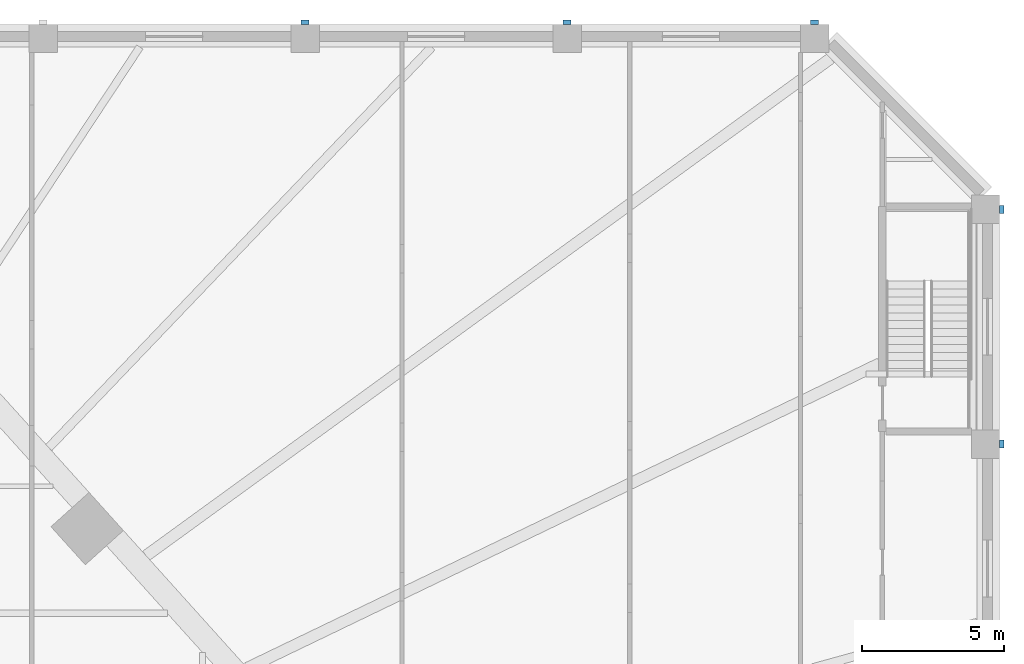
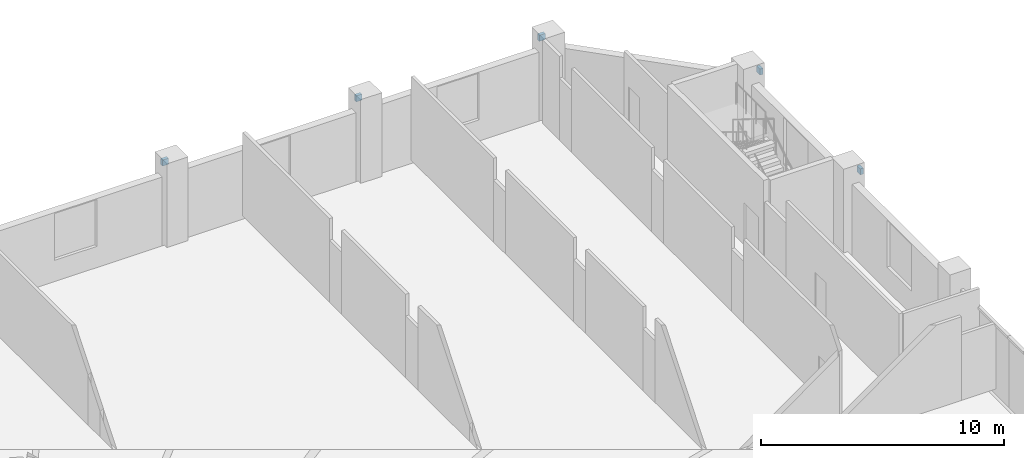
# One storey, part 28 of 33: 5 discrete accessories.
"""IFC4 building model written with IfcOpenShell, lengths in metres."""

from ifc_helpers import new_model, si_unit, direction, frame, origin, origin_2d, place, context, subcontext, project, spatial, rectangle, extrude, material, type_object, element, save


model = new_model("IFC4")

# Units and contexts
model_context = context("Model", 3, precision=1e-05, world=origin(), true_north=direction((0.0, 1.0)))
body_context = subcontext(model_context, "Body", "Model", "MODEL_VIEW")
ifc_project = project(units=[si_unit("LENGTHUNIT", "METRE"), si_unit("AREAUNIT", "SQUARE_METRE"), si_unit("VOLUMEUNIT", "CUBIC_METRE"), si_unit("PLANEANGLEUNIT", "RADIAN"), si_unit("MASSUNIT", "GRAM", prefix="KILO")], contexts=[model_context])

# Site, building, storey
site_placement = place(None, origin())
site = spatial("IfcSite", under=ifc_project, at=site_placement, CompositionType="ELEMENT")
building_placement = place(site_placement, origin())
building = spatial("IfcBuilding", under=site, at=building_placement, Name="Isthmus Gate Tower", CompositionType="ELEMENT")
storey_placement = place(building_placement, frame((0.0, 0.0, 22.5)))
storey = spatial("IfcBuildingStorey", under=building, at=storey_placement, Name="L03", CompositionType="ELEMENT", Elevation=22.5)

# Discrete accessories
ifc_material = material(Name="Structural steel ASTM A572 Gr 50, white paint system", Category="steel")
discrete_accessory_type = type_object("IfcDiscreteAccessoryType", Name="FIN BRACKET 281 X 150 X 300", PredefinedType="BRACKET", material=ifc_material)
for number, where, z_axis, x_axis, name in (
    (1, (52.074951171875, 26.25, 3.35009765625), (0.0, 0.0, 1.0), (1.0, 0.0, 0.0), "FIN BRACKET"),
    (2, (52.074951171875, 34.5, 3.35009765625), (0.0, 0.0, 1.0), (1.0, 0.0, 0.0), "FIN BRACKET"),
    (3, (45.5, 41.074951171875, 3.35009765625), (0.0, 0.0, 1.0), (0.0, 1.0, 0.0), "FIN BRACKET"),
    (4, (36.800048828125, 41.074951171875, 3.35009765625), (0.0, 0.0, 1.0), (0.0, 1.0, 0.0), "FIN BRACKET"),
    (5, (27.60009765625, 41.074951171875, 3.35009765625), (0.0, 0.0, 1.0), (0.0, 1.0, 0.0), "FIN BRACKET"),
):
    element("IfcDiscreteAccessory", number, at=place(storey_placement, frame(where, z_axis=z_axis, x_axis=x_axis)), inside=storey, type_object=discrete_accessory_type, Name=name, PredefinedType="BRACKET", context=body_context, shape_type="SweptSolid", body=[
        extrude(rectangle(XDim=0.14990234375, YDim=0.281005859375, at=origin_2d()), origin(), (0.0, 0.0, 1.0), 0.300048828125),
    ])

save(model, "model.ifc")
